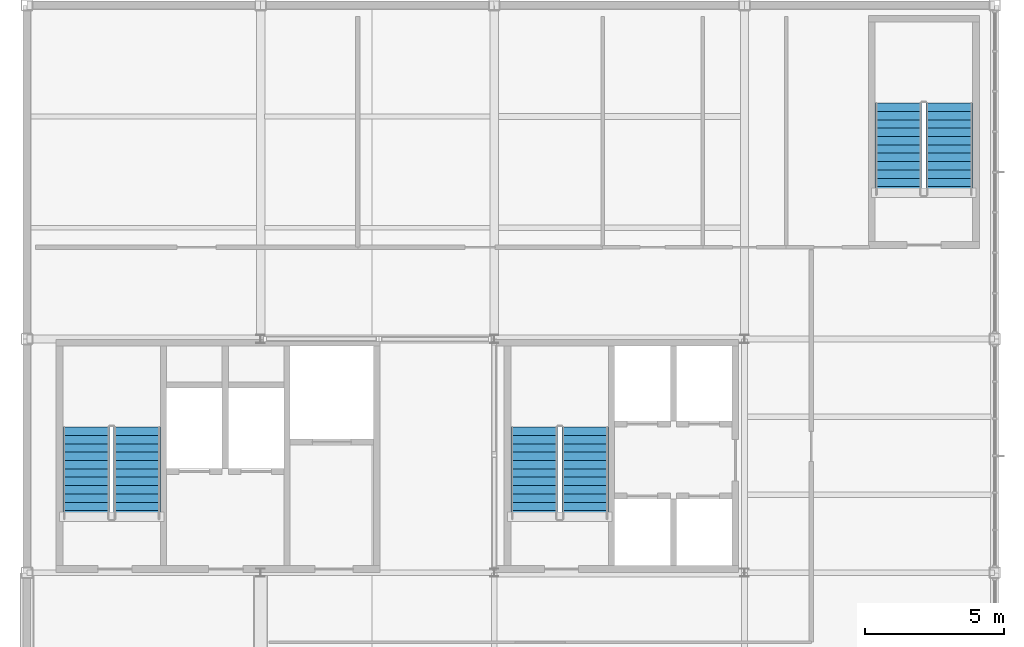
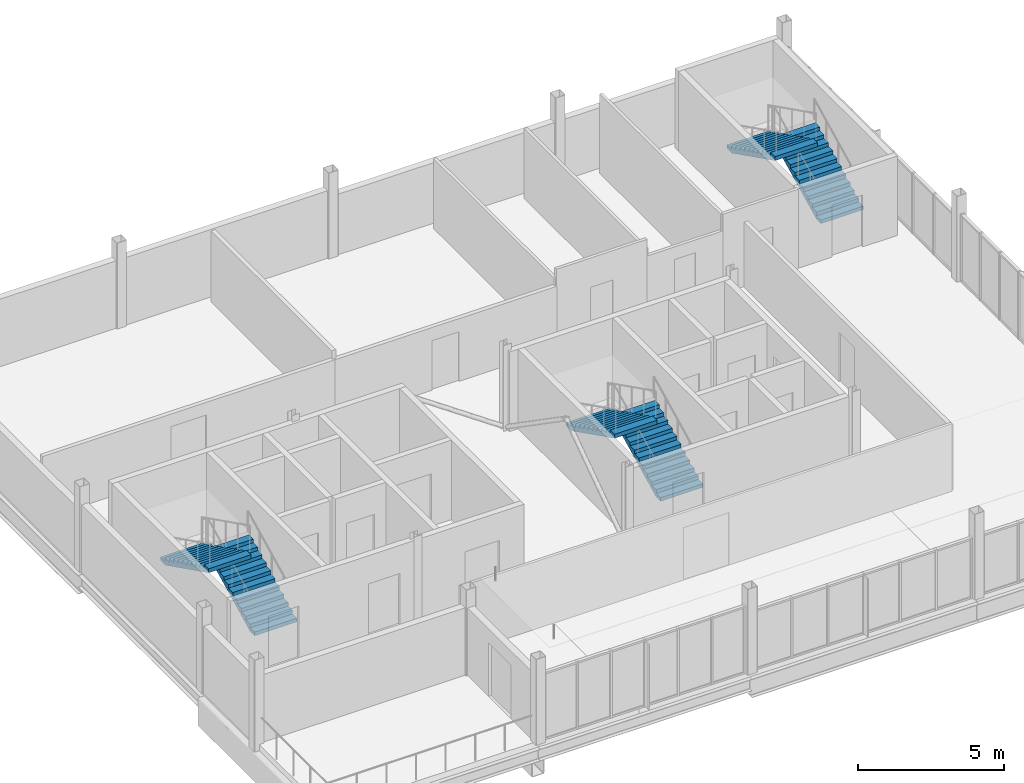
# One storey, part 13 of 17: 6 stair flights, 3 elements without a shape of their own.
"""IFC4 building model written with IfcOpenShell, lengths in metres."""

import ifcopenshell
import ifcopenshell.guid

model = None  # the IFC model being written
_history = None  # IfcOwnerHistory: only IFC2X3 demands one
_inside = {}  # id of a spatial element -> (the spatial element, [elements in it])
_under = {}  # id of a project, library or spatial element -> (it, [spatial elements below it])
_declared = {}  # id of a project -> (the project, [libraries it declares])
_typed = {}  # id of a type object -> (the type object, [elements of that type])
_made_of = {}  # id of a material, layer set ... -> (it, [elements and type objects made of it])


def new_model(schema):
    """Start an empty IFC model of exactly this schema.

    Asked for "IFC4X3", IfcOpenShell would pick the latest addendum, in which some entities
    have other attributes; the version numbers below select the first issue.
    IFC2X3 requires an IfcOwnerHistory on every rooted entity: one is made here for all.
    """
    global model, _history
    if schema == "IFC4X3":
        model = ifcopenshell.file(schema_version=(4, 3, 0, 0))
    else:
        model = ifcopenshell.file(schema=schema)
    _inside.clear()
    _under.clear()
    _declared.clear()
    _typed.clear()
    _made_of.clear()
    _history = None
    if model.schema == "IFC2X3":
        org = make("IfcOrganization", Name="unknown")
        user = make(
            "IfcPersonAndOrganization",
            ThePerson=make("IfcPerson", FamilyName="unknown"),
            TheOrganization=org,
        )
        app = make(
            "IfcApplication",
            ApplicationDeveloper=org,
            Version="unknown",
            ApplicationFullName="unknown",
            ApplicationIdentifier="unknown",
        )
        _history = make(
            "IfcOwnerHistory",
            OwningUser=user,
            OwningApplication=app,
            ChangeAction="ADDED",
            CreationDate=0,
        )
    return model


def make(cls, **values):
    """One entity of the class cls with the attributes given. An attribute that is None is left unset."""
    return model.create_entity(
        cls, **{name: value for name, value in values.items() if value is not None}
    )


def rooted(cls, **values):
    """An entity with a GlobalId (a new one), such as an element, a storey or a relation."""
    return make(cls, GlobalId=ifcopenshell.guid.new(), OwnerHistory=_history, **values)


def si_unit(unit_type, name, prefix=None):
    """IfcSIUnit, for example si_unit("LENGTHUNIT", "METRE", prefix="MILLI")."""
    return make("IfcSIUnit", UnitType=unit_type, Prefix=prefix, Name=name)


def assignment(units):
    """IfcUnitAssignment: the units of a project."""
    return None if units is None else make("IfcUnitAssignment", Units=units)


def point(xyz):
    """IfcCartesianPoint."""
    return None if xyz is None else make("IfcCartesianPoint", Coordinates=xyz)


def direction(xyz):
    """IfcDirection."""
    return None if xyz is None else make("IfcDirection", DirectionRatios=xyz)


def frame(location, z_axis=None, x_axis=None):
    """IfcAxis2Placement3D, a coordinate frame: its origin and axes. An axis left out is left unset."""
    return make(
        "IfcAxis2Placement3D",
        Location=point(location),
        Axis=direction(z_axis),
        RefDirection=direction(x_axis),
    )


def origin():
    """The frame at (0, 0, 0) with its axes left unset."""
    return frame((0.0, 0.0, 0.0))


def place(relative_to, where):
    """IfcLocalPlacement: puts the frame where relative to a parent placement (None: the world)."""
    return make(
        "IfcLocalPlacement", PlacementRelTo=relative_to, RelativePlacement=where
    )


def context(
    kind, dimensions, precision=None, world=None, true_north=None, identifier=None
):
    """IfcGeometricRepresentationContext, for example the 3D "Model" context."""
    return make(
        "IfcGeometricRepresentationContext",
        ContextIdentifier=identifier,
        ContextType=kind,
        CoordinateSpaceDimension=dimensions,
        Precision=precision,
        WorldCoordinateSystem=world,
        TrueNorth=true_north,
    )


def subcontext(parent, identifier, kind, view, scale=None):
    """IfcGeometricRepresentationSubContext, for example "Body" below "Model"."""
    return make(
        "IfcGeometricRepresentationSubContext",
        ContextIdentifier=identifier,
        ContextType=kind,
        ParentContext=parent,
        TargetScale=scale,
        TargetView=view,
    )


def project(units=None, contexts=None):
    """IfcProject with its units and contexts."""
    return rooted(
        "IfcProject",
        Name="project",
        RepresentationContexts=contexts,
        UnitsInContext=assignment(units),
    )


def spatial(cls, under=None, at=None, **own):
    """A site, building, storey or space (cls), placed at a placement, below another one or the project."""
    s = rooted(cls, ObjectPlacement=at, **own)
    if under is not None:
        _under.setdefault(under.id(), (under, []))[1].append(s)
    return s


def polyline(points):
    """IfcPolyline through the points."""
    return make("IfcPolyline", Points=[point(p) for p in points])


def outline(outer, holes=None, kind="AREA"):
    """IfcArbitraryClosedProfileDef: a profile drawn as a closed curve; with holes, ...WithVoids."""
    if holes is None:
        return make("IfcArbitraryClosedProfileDef", ProfileType=kind, OuterCurve=outer)
    return make(
        "IfcArbitraryProfileDefWithVoids",
        ProfileType=kind,
        OuterCurve=outer,
        InnerCurves=holes,
    )


def extrude(swept, where, along, depth):
    """IfcExtrudedAreaSolid: the profile swept, set in the frame where, extruded along a direction by depth."""
    return make(
        "IfcExtrudedAreaSolid",
        SweptArea=swept,
        Position=where,
        ExtrudedDirection=direction(along),
        Depth=depth,
    )


def shape(context_of_items, identifier, shape_type, items):
    """IfcShapeRepresentation: the items that make up one representation, for example the "Body"."""
    return make(
        "IfcShapeRepresentation",
        ContextOfItems=context_of_items,
        RepresentationIdentifier=identifier,
        RepresentationType=shape_type,
        Items=items,
    )


def material(Name=None, Category=None):
    """IfcMaterial."""
    return make("IfcMaterial", Name=Name, Category=Category)


def made_of(thing, what):
    """Note that an element or type object is made of a material, layer set ...; save() writes the relation."""
    if what is not None:
        _made_of.setdefault(what.id(), (what, []))[1].append(thing)
    return thing


def type_object(cls, material=None, **own):
    """A type object (cls), such as IfcWallType, which elements share."""
    return made_of(rooted(cls, **own), material)


def element(
    cls,
    number,
    at=None,
    inside=None,
    cuts=None,
    type_object=None,
    material=None,
    context=None,
    identifier="Body",
    shape_type=None,
    held_by="IfcProductDefinitionShape",
    body=None,
    shapes=None,
    **own,
):
    """One element of the class cls, such as IfcWall. Its Tag is "e" and its number.

    at: its placement. inside: the storey or other place that contains it. cuts: it is an
    opening in that element (IfcRelVoidsElement). A single representation is given by context,
    identifier, shape_type and body (its items); several are given by shapes. held_by: the class
    of the entity that holds the representations. save() writes the other relations.
    """
    e = rooted(cls, Tag="e%d" % number, ObjectPlacement=at, **own)
    if body is not None:
        shapes = [shape(context, identifier, shape_type, body)]
    if shapes is not None:
        e.Representation = make(held_by, Representations=shapes)
    if inside is not None:
        _inside.setdefault(inside.id(), (inside, []))[1].append(e)
    if cuts is not None:
        rooted(
            "IfcRelVoidsElement", RelatingBuildingElement=cuts, RelatedOpeningElement=e
        )
    if type_object is not None:
        _typed.setdefault(type_object.id(), (type_object, []))[1].append(e)
    return made_of(e, material)


def aggregate(whole, parts):
    """IfcRelAggregates: a whole, such as a stair, and the parts it consists of."""
    return rooted("IfcRelAggregates", RelatingObject=whole, RelatedObjects=parts)


def save(model, path):
    """Write the relations noted so far, then the file.

    IfcRelAggregates (storeys below a building ...), IfcRelContainedInSpatialStructure (elements
    in a storey), IfcRelDefinesByType, IfcRelAssociatesMaterial and IfcRelDeclares: one each for
    every whole, place, type object, material and project.
    """
    for whole, parts in _under.values():
        aggregate(whole, parts)
    for where, things in _inside.values():
        rooted(
            "IfcRelContainedInSpatialStructure",
            RelatedElements=things,
            RelatingStructure=where,
        )
    for kind, things in _typed.values():
        rooted("IfcRelDefinesByType", RelatedObjects=things, RelatingType=kind)
    for what, things in _made_of.values():
        rooted("IfcRelAssociatesMaterial", RelatedObjects=things, RelatingMaterial=what)
    for by, libraries in _declared.values():
        rooted("IfcRelDeclares", RelatingContext=by, RelatedDefinitions=libraries)
    model.write(path)


model = new_model("IFC4")

# Units and contexts
model_context = context("Model", 3, precision=1e-05, world=origin(), true_north=direction((0.0, 1.0)))
body_context = subcontext(model_context, "Body", "Model", "MODEL_VIEW")
ifc_project = project(units=[si_unit("LENGTHUNIT", "METRE"), si_unit("AREAUNIT", "SQUARE_METRE"), si_unit("VOLUMEUNIT", "CUBIC_METRE"), si_unit("PLANEANGLEUNIT", "RADIAN"), si_unit("MASSUNIT", "GRAM", prefix="KILO")], contexts=[model_context])

# Site, building, storey
site_placement = place(None, origin())
site = spatial("IfcSite", under=ifc_project, at=site_placement, CompositionType="ELEMENT")
building_placement = place(site_placement, origin())
building = spatial("IfcBuilding", under=site, at=building_placement, Name="Yukiwa Park Conservatory and Herbarium", CompositionType="ELEMENT")
storey_placement = place(building_placement, frame((0.0, 0.0, 57.60009765625)))
storey = spatial("IfcBuildingStorey", under=building, at=storey_placement, Name="L15", CompositionType="ELEMENT", Elevation=57.60009765625)

# Stair, stair flights
ifc_material_1 = material(Name="Concrete C40", Category="concrete")
stair_type_1 = type_object("IfcStairType", Name="ST-DOGLEG-ST-T1", PredefinedType="HALF_TURN_STAIR", material=ifc_material_1)
stair_1_placement = place(storey_placement, origin())
stair_1 = element("IfcStair", 1, at=stair_1_placement, inside=storey, type_object=stair_type_1, Name="L15 Protected Smoke-Proof Stair ST-T1", PredefinedType="HALF_TURN_STAIR")
ifc_material_2 = material(Name="Concrete C40", Category="concrete")
stair_flight_type = type_object("IfcStairFlightType", Name="STF-RC-1680", PredefinedType="STRAIGHT", material=ifc_material_2)
stair_flight_1_placement = place(storey_placement, frame((137.159912109375, 96.72998046875, 0.0), z_axis=(0.0, 0.0, 1.0), x_axis=(0.0, 1.0, 0.0)))
stair_flight_1 = element("IfcStairFlight", 2, at=stair_flight_1_placement, type_object=stair_flight_type, Name="ST-T1 flight 1", NumberOfRisers=12, NumberOfTreads=11, PredefinedType="STRAIGHT", RiserHeight=0.15, TreadLength=0.3, context=body_context, shape_type="SweptSolid", body=[
    extrude(outline(polyline([(0.0, 0.0), (0.0, 0.14990234375), (0.300048828125, 0.14990234375), (0.300048828125, 0.300048828125), (0.60009765625, 0.300048828125), (0.60009765625, 0.449951171875), (0.89990234375, 0.449951171875), (0.89990234375, 0.60009765625), (1.199951171875, 0.60009765625), (1.199951171875, 0.75), (1.5, 0.75), (1.5, 0.89990234375), (1.800048828125, 0.89990234375), (1.800048828125, 1.050048828125), (2.10009765625, 1.050048828125), (2.10009765625, 1.199951171875), (2.39990234375, 1.199951171875), (2.39990234375, 1.35009765625), (2.699951171875, 1.35009765625), (2.699951171875, 1.5), (3.0, 1.5), (3.0, 1.64990234375), (3.300048828125, 1.64990234375), (3.300048828125, 1.800048828125), (3.300048828125, 1.482421875), (0.335205078125, 0.0), (0.0, 0.0)])), frame((0.0, 0.83984375, 0.0), z_axis=(0.0, -1.0, 0.0), x_axis=(1.0, 0.0, 0.0)), (0.0, 0.0, 1.0), 1.679931640625),
])
stair_flight_2_placement = place(storey_placement, frame((135.330078125, 100.030029296875, 1.7998046875), z_axis=(0.0, 0.0, 1.0), x_axis=(0.0, -1.0, 0.0)))
stair_flight_2 = element("IfcStairFlight", 3, at=stair_flight_2_placement, type_object=stair_flight_type, Name="ST-T1 flight 2", NumberOfRisers=12, NumberOfTreads=11, PredefinedType="STRAIGHT", RiserHeight=0.15, TreadLength=0.3, context=body_context, shape_type="SweptSolid", body=[
    extrude(outline(polyline([(0.0, 0.0), (0.0, 0.14990234375), (0.300048828125, 0.14990234375), (0.300048828125, 0.300048828125), (0.60009765625, 0.300048828125), (0.60009765625, 0.449951171875), (0.89990234375, 0.449951171875), (0.89990234375, 0.60009765625), (1.199951171875, 0.60009765625), (1.199951171875, 0.75), (1.5, 0.75), (1.5, 0.89990234375), (1.800048828125, 0.89990234375), (1.800048828125, 1.050048828125), (2.10009765625, 1.050048828125), (2.10009765625, 1.199951171875), (2.39990234375, 1.199951171875), (2.39990234375, 1.35009765625), (2.699951171875, 1.35009765625), (2.699951171875, 1.5), (3.0, 1.5), (3.0, 1.64990234375), (3.300048828125, 1.64990234375), (3.300048828125, 1.800048828125), (3.300048828125, 1.482421875), (0.335205078125, 0.0), (0.0, 0.0)])), frame((0.0, 0.83984375, 0.0), z_axis=(0.0, -1.0, 0.0), x_axis=(1.0, 0.0, 0.0)), (0.0, 0.0, 1.0), 1.679931640625),
])
aggregate(stair_1, [stair_flight_1, stair_flight_2])

ifc_material_3 = material(Name="Concrete C40", Category="concrete")
stair_type_2 = type_object("IfcStairType", Name="ST-DOGLEG-ST-T2", PredefinedType="HALF_TURN_STAIR", material=ifc_material_3)
stair_2_placement = place(storey_placement, origin())
stair_2 = element("IfcStair", 4, at=stair_2_placement, inside=storey, type_object=stair_type_2, Name="L15 Protected Smoke-Proof Stair ST-T2", PredefinedType="HALF_TURN_STAIR")
stair_flight_3_placement = place(storey_placement, frame((153.27001953125, 96.72998046875, 0.0), z_axis=(0.0, 0.0, 1.0), x_axis=(0.0, 1.0, 0.0)))
stair_flight_3 = element("IfcStairFlight", 5, at=stair_flight_3_placement, type_object=stair_flight_type, Name="ST-T2 flight 1", NumberOfRisers=12, NumberOfTreads=11, PredefinedType="STRAIGHT", RiserHeight=0.15, TreadLength=0.3, context=body_context, shape_type="SweptSolid", body=[
    extrude(outline(polyline([(0.0, 0.0), (0.0, 0.14990234375), (0.300048828125, 0.14990234375), (0.300048828125, 0.300048828125), (0.60009765625, 0.300048828125), (0.60009765625, 0.449951171875), (0.89990234375, 0.449951171875), (0.89990234375, 0.60009765625), (1.199951171875, 0.60009765625), (1.199951171875, 0.75), (1.5, 0.75), (1.5, 0.89990234375), (1.800048828125, 0.89990234375), (1.800048828125, 1.050048828125), (2.10009765625, 1.050048828125), (2.10009765625, 1.199951171875), (2.39990234375, 1.199951171875), (2.39990234375, 1.35009765625), (2.699951171875, 1.35009765625), (2.699951171875, 1.5), (3.0, 1.5), (3.0, 1.64990234375), (3.300048828125, 1.64990234375), (3.300048828125, 1.800048828125), (3.300048828125, 1.482421875), (0.335205078125, 0.0), (0.0, 0.0)])), frame((0.0, 0.83984375, 0.0), z_axis=(0.0, -1.0, 0.0), x_axis=(1.0, 0.0, 0.0)), (0.0, 0.0, 1.0), 1.679931640625),
])
stair_flight_4_placement = place(storey_placement, frame((151.43994140625, 100.030029296875, 1.7998046875), z_axis=(0.0, 0.0, 1.0), x_axis=(0.0, -1.0, 0.0)))
stair_flight_4 = element("IfcStairFlight", 6, at=stair_flight_4_placement, type_object=stair_flight_type, Name="ST-T2 flight 2", NumberOfRisers=12, NumberOfTreads=11, PredefinedType="STRAIGHT", RiserHeight=0.15, TreadLength=0.3, context=body_context, shape_type="SweptSolid", body=[
    extrude(outline(polyline([(0.0, 0.0), (0.0, 0.14990234375), (0.300048828125, 0.14990234375), (0.300048828125, 0.300048828125), (0.60009765625, 0.300048828125), (0.60009765625, 0.449951171875), (0.89990234375, 0.449951171875), (0.89990234375, 0.60009765625), (1.199951171875, 0.60009765625), (1.199951171875, 0.75), (1.5, 0.75), (1.5, 0.89990234375), (1.800048828125, 0.89990234375), (1.800048828125, 1.050048828125), (2.10009765625, 1.050048828125), (2.10009765625, 1.199951171875), (2.39990234375, 1.199951171875), (2.39990234375, 1.35009765625), (2.699951171875, 1.35009765625), (2.699951171875, 1.5), (3.0, 1.5), (3.0, 1.64990234375), (3.300048828125, 1.64990234375), (3.300048828125, 1.800048828125), (3.300048828125, 1.482421875), (0.335205078125, 0.0), (0.0, 0.0)])), frame((0.0, 0.83984375, 0.0), z_axis=(0.0, -1.0, 0.0), x_axis=(1.0, 0.0, 0.0)), (0.0, 0.0, 1.0), 1.679931640625),
])
aggregate(stair_2, [stair_flight_3, stair_flight_4])

ifc_material_4 = material(Name="Concrete C40", Category="concrete")
stair_type_3 = type_object("IfcStairType", Name="ST-DOGLEG-ST-T3", PredefinedType="HALF_TURN_STAIR", material=ifc_material_4)
stair_3_placement = place(storey_placement, origin())
stair_3 = element("IfcStair", 7, at=stair_3_placement, inside=storey, type_object=stair_type_3, Name="L15 Protected Smoke-Proof Stair ST-T3", PredefinedType="HALF_TURN_STAIR")
stair_flight_5_placement = place(storey_placement, frame((166.360107421875, 108.3798828125, 0.0), z_axis=(0.0, 0.0, 1.0), x_axis=(0.0, 1.0, 0.0)))
stair_flight_5 = element("IfcStairFlight", 8, at=stair_flight_5_placement, type_object=stair_flight_type, Name="ST-T3 flight 1", NumberOfRisers=12, NumberOfTreads=11, PredefinedType="STRAIGHT", RiserHeight=0.15, TreadLength=0.3, context=body_context, shape_type="SweptSolid", body=[
    extrude(outline(polyline([(0.0, 0.0), (0.0, 0.14990234375), (0.300048828125, 0.14990234375), (0.300048828125, 0.300048828125), (0.60009765625, 0.300048828125), (0.60009765625, 0.449951171875), (0.89990234375, 0.449951171875), (0.89990234375, 0.60009765625), (1.199951171875, 0.60009765625), (1.199951171875, 0.75), (1.5, 0.75), (1.5, 0.89990234375), (1.800048828125, 0.89990234375), (1.800048828125, 1.050048828125), (2.10009765625, 1.050048828125), (2.10009765625, 1.199951171875), (2.39990234375, 1.199951171875), (2.39990234375, 1.35009765625), (2.699951171875, 1.35009765625), (2.699951171875, 1.5), (3.0, 1.5), (3.0, 1.64990234375), (3.300048828125, 1.64990234375), (3.300048828125, 1.800048828125), (3.300048828125, 1.482421875), (0.335205078125, 0.0), (0.0, 0.0)])), frame((0.0, 0.83984375, 0.0), z_axis=(0.0, -1.0, 0.0), x_axis=(1.0, 0.0, 0.0)), (0.0, 0.0, 1.0), 1.679931640625),
])
stair_flight_6_placement = place(storey_placement, frame((164.530029296875, 111.679931640625, 1.7998046875), z_axis=(0.0, 0.0, 1.0), x_axis=(0.0, -1.0, 0.0)))
stair_flight_6 = element("IfcStairFlight", 9, at=stair_flight_6_placement, type_object=stair_flight_type, Name="ST-T3 flight 2", NumberOfRisers=12, NumberOfTreads=11, PredefinedType="STRAIGHT", RiserHeight=0.15, TreadLength=0.3, context=body_context, shape_type="SweptSolid", body=[
    extrude(outline(polyline([(0.0, 0.0), (0.0, 0.14990234375), (0.300048828125, 0.14990234375), (0.300048828125, 0.300048828125), (0.60009765625, 0.300048828125), (0.60009765625, 0.449951171875), (0.89990234375, 0.449951171875), (0.89990234375, 0.60009765625), (1.199951171875, 0.60009765625), (1.199951171875, 0.75), (1.5, 0.75), (1.5, 0.89990234375), (1.800048828125, 0.89990234375), (1.800048828125, 1.050048828125), (2.10009765625, 1.050048828125), (2.10009765625, 1.199951171875), (2.39990234375, 1.199951171875), (2.39990234375, 1.35009765625), (2.699951171875, 1.35009765625), (2.699951171875, 1.5), (3.0, 1.5), (3.0, 1.64990234375), (3.300048828125, 1.64990234375), (3.300048828125, 1.800048828125), (3.300048828125, 1.482421875), (0.335205078125, 0.0), (0.0, 0.0)])), frame((0.0, 0.83984375, 0.0), z_axis=(0.0, -1.0, 0.0), x_axis=(1.0, 0.0, 0.0)), (0.0, 0.0, 1.0), 1.679931640625),
])
aggregate(stair_3, [stair_flight_5, stair_flight_6])

save(model, "model.ifc")
